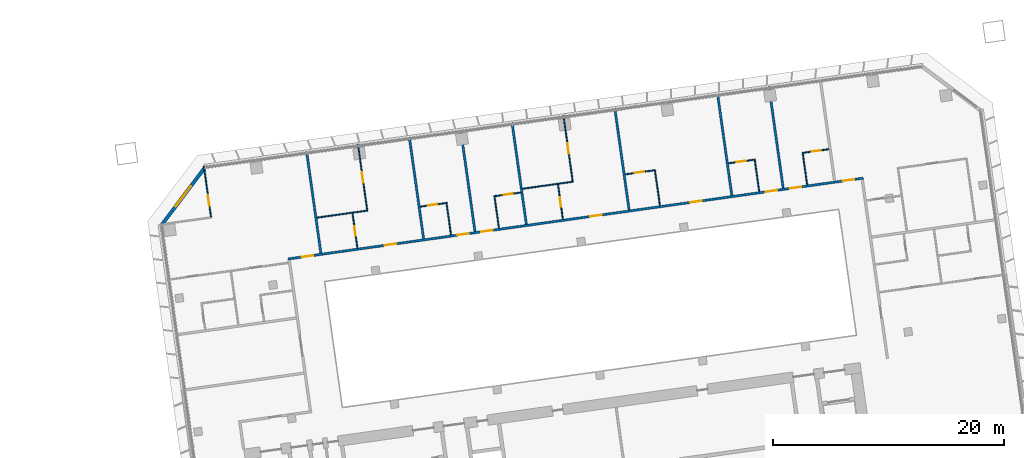
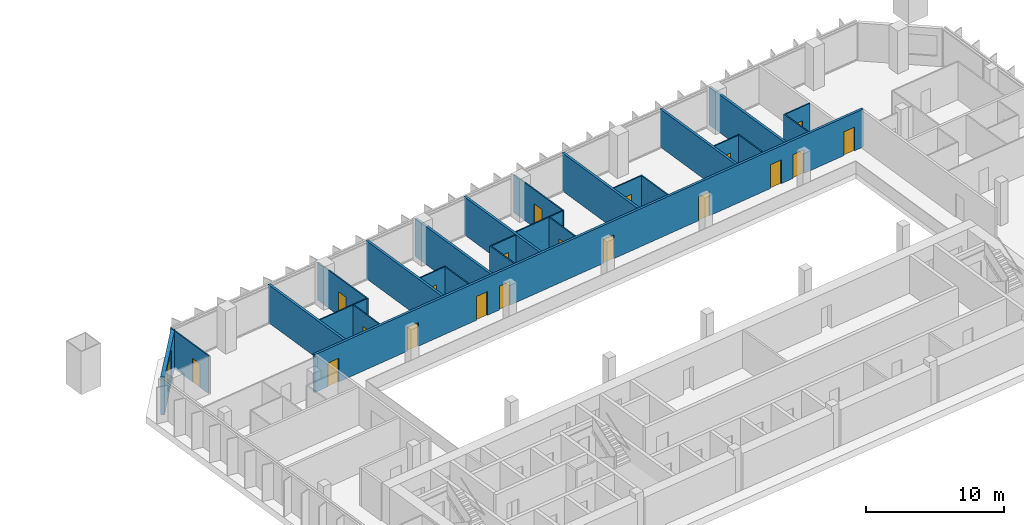
# One storey, part 20 of 24: 26 walls, 19 doors, 1 window, 20 openings.
"""IFC4 building model written with IfcOpenShell, lengths in metres."""

from ifc_helpers import new_model, si_unit, direction, frame, frame_2d, origin, place, context, subcontext, project, spatial, rectangle, extrude, material, layer, layer_set, type_object, element, fill, save


model = new_model("IFC4")

# Units and contexts
model_context = context("Model", 3, precision=1e-05, world=origin(), true_north=direction((0.0, 1.0)))
body_context = subcontext(model_context, "Body", "Model", "MODEL_VIEW")
ifc_project = project(units=[si_unit("LENGTHUNIT", "METRE"), si_unit("AREAUNIT", "SQUARE_METRE"), si_unit("VOLUMEUNIT", "CUBIC_METRE"), si_unit("PLANEANGLEUNIT", "RADIAN"), si_unit("MASSUNIT", "GRAM", prefix="KILO")], contexts=[model_context])

# Site, building, storey
site_placement = place(None, origin())
site = spatial("IfcSite", under=ifc_project, at=site_placement, CompositionType="ELEMENT")
building_placement = place(site_placement, origin())
building = spatial("IfcBuilding", under=site, at=building_placement, Name="Mirante Cascada Hotel Towers", CompositionType="ELEMENT")
storey_placement = place(building_placement, frame((0.0, 0.0, 85.1)))
storey = spatial("IfcBuildingStorey", under=building, at=storey_placement, Name="L18", CompositionType="ELEMENT", Elevation=85.1)

# Wall, openings, doors
ifc_material_1 = material(Name="Fire-rated plasterboard on metal studs")
ifc_layer_1 = layer(ifc_material_1, 0.2)
ifc_layer_set_1 = layer_set([ifc_layer_1], Name="Compartment wall 200 EI 120")
wall_type_1 = type_object("IfcWallType", Name="Compartment wall 200 EI 120", PredefinedType="PARTITIONING", material=ifc_layer_set_1)
wall_1_placement = place(storey_placement, frame((89.0146, 16.3922, 0.0), z_axis=(0.0, 0.0, 1.0), x_axis=(-0.9902681, -0.1391727, 0.0)))
wall_1 = element("IfcWall", 1, at=wall_1_placement, inside=storey, type_object=wall_type_1, Name="Wall 2-L18-14", PredefinedType="PARTITIONING", context=body_context, shape_type="SweptSolid", body=[
    extrude(rectangle(XDim=50.4, YDim=0.2, at=frame_2d((25.2, 0.0))), origin(), (0.0, 0.0, 1.0), 3.35),
])
opening_1_placement = place(wall_1_placement, frame((48.2, 0.0, 0.0)))
opening_1 = element("IfcOpeningElement", 2, at=opening_1_placement, cuts=wall_1, Name="Opening D2-L18-08", PredefinedType="OPENING", context=body_context, shape_type="SweptSolid", body=[
    extrude(rectangle(XDim=1.0, YDim=2.1, at=frame_2d((0.5, 1.05))), frame((0.0, 0.1, 0.0), z_axis=(0.0, -1.0, 0.0), x_axis=(1.0, 0.0, 0.0)), (0.0, 0.0, 1.0), 0.2),
])
opening_2_placement = place(wall_1_placement, frame((40.9, 0.0, 0.0)))
opening_2 = element("IfcOpeningElement", 3, at=opening_2_placement, cuts=wall_1, Name="Opening D2-L18-09", PredefinedType="OPENING", context=body_context, shape_type="SweptSolid", body=[
    extrude(rectangle(XDim=1.0, YDim=2.1, at=frame_2d((0.5, 1.05))), frame((0.0, 0.1, 0.0), z_axis=(0.0, -1.0, 0.0), x_axis=(1.0, 0.0, 0.0)), (0.0, 0.0, 1.0), 0.2),
])
opening_3_placement = place(wall_1_placement, frame((34.55, 0.0, 0.0)))
opening_3 = element("IfcOpeningElement", 4, at=opening_3_placement, cuts=wall_1, Name="Opening D2-L18-10", PredefinedType="OPENING", context=body_context, shape_type="SweptSolid", body=[
    extrude(rectangle(XDim=1.0, YDim=2.1, at=frame_2d((0.5, 1.05))), frame((0.0, 0.1, 0.0), z_axis=(0.0, -1.0, 0.0), x_axis=(1.0, 0.0, 0.0)), (0.0, 0.0, 1.0), 0.2),
])
opening_4_placement = place(wall_1_placement, frame((32.45, 0.0, 0.0)))
opening_4 = element("IfcOpeningElement", 5, at=opening_4_placement, cuts=wall_1, Name="Opening D2-L18-11", PredefinedType="OPENING", context=body_context, shape_type="SweptSolid", body=[
    extrude(rectangle(XDim=1.0, YDim=2.1, at=frame_2d((0.5, 1.05))), frame((0.0, 0.1, 0.0), z_axis=(0.0, -1.0, 0.0), x_axis=(1.0, 0.0, 0.0)), (0.0, 0.0, 1.0), 0.2),
])
opening_5_placement = place(wall_1_placement, frame((22.9, 0.0, 0.0)))
opening_5 = element("IfcOpeningElement", 6, at=opening_5_placement, cuts=wall_1, Name="Opening D2-L18-12", PredefinedType="OPENING", context=body_context, shape_type="SweptSolid", body=[
    extrude(rectangle(XDim=1.0, YDim=2.1, at=frame_2d((0.5, 1.05))), frame((0.0, 0.1, 0.0), z_axis=(0.0, -1.0, 0.0), x_axis=(1.0, 0.0, 0.0)), (0.0, 0.0, 1.0), 0.2),
])
opening_6_placement = place(wall_1_placement, frame((14.15, 0.0, 0.0)))
opening_6 = element("IfcOpeningElement", 7, at=opening_6_placement, cuts=wall_1, Name="Opening D2-L18-13", PredefinedType="OPENING", context=body_context, shape_type="SweptSolid", body=[
    extrude(rectangle(XDim=1.0, YDim=2.1, at=frame_2d((0.5, 1.05))), frame((0.0, 0.1, 0.0), z_axis=(0.0, -1.0, 0.0), x_axis=(1.0, 0.0, 0.0)), (0.0, 0.0, 1.0), 0.2),
])
opening_7_placement = place(wall_1_placement, frame((7.55, 0.0, 0.0)))
opening_7 = element("IfcOpeningElement", 8, at=opening_7_placement, cuts=wall_1, Name="Opening D2-L18-14", PredefinedType="OPENING", context=body_context, shape_type="SweptSolid", body=[
    extrude(rectangle(XDim=1.0, YDim=2.1, at=frame_2d((0.5, 1.05))), frame((0.0, 0.1, 0.0), z_axis=(0.0, -1.0, 0.0), x_axis=(1.0, 0.0, 0.0)), (0.0, 0.0, 1.0), 0.2),
])
opening_8_placement = place(wall_1_placement, frame((5.45, 0.0, 0.0)))
opening_8 = element("IfcOpeningElement", 9, at=opening_8_placement, cuts=wall_1, Name="Opening D2-L18-15", PredefinedType="OPENING", context=body_context, shape_type="SweptSolid", body=[
    extrude(rectangle(XDim=1.0, YDim=2.1, at=frame_2d((0.5, 1.05))), frame((0.0, 0.1, 0.0), z_axis=(0.0, -1.0, 0.0), x_axis=(1.0, 0.0, 0.0)), (0.0, 0.0, 1.0), 0.2),
])
opening_9_placement = place(wall_1_placement, frame((0.8, 0.0, 0.0)))
opening_9 = element("IfcOpeningElement", 10, at=opening_9_placement, cuts=wall_1, Name="Opening D2-L18-16", PredefinedType="OPENING", context=body_context, shape_type="SweptSolid", body=[
    extrude(rectangle(XDim=1.0, YDim=2.1, at=frame_2d((0.5, 1.05))), frame((0.0, 0.1, 0.0), z_axis=(0.0, -1.0, 0.0), x_axis=(1.0, 0.0, 0.0)), (0.0, 0.0, 1.0), 0.2),
])
ifc_material_2 = material(Name="Fire-rated timber door leaf", Category="wood")
door_type_1 = type_object("IfcDoorType", Name="Entrance door DG1 1000x2100 EI 60", OperationType="SINGLE_SWING_LEFT", PredefinedType="DOOR", material=ifc_material_2)
door_1_placement = place(opening_1_placement, frame((1.0, 0.0, 0.0), z_axis=(0.0, 0.0, 1.0), x_axis=(-1.0, 0.0, 0.0)))
door_1 = element("IfcDoor", 11, at=door_1_placement, inside=storey, type_object=door_type_1, Name="Door D2-L18-08", OperationType="SINGLE_SWING_RIGHT", OverallHeight=2.1, OverallWidth=1.0, PredefinedType="DOOR", context=body_context, shape_type="SweptSolid", body=[
    extrude(rectangle(XDim=1.0, YDim=2.1, at=frame_2d((0.5, 1.05))), frame((0.0, 0.025, 0.0), z_axis=(0.0, -1.0, 0.0), x_axis=(1.0, 0.0, 0.0)), (0.0, 0.0, 1.0), 0.05),
])
fill(opening_1, door_1)
door_2_placement = place(opening_2_placement, frame((1.0, 0.0, 0.0), z_axis=(0.0, 0.0, 1.0), x_axis=(-1.0, 0.0, 0.0)))
door_2 = element("IfcDoor", 12, at=door_2_placement, inside=storey, type_object=door_type_1, Name="Door D2-L18-09", OperationType="SINGLE_SWING_RIGHT", OverallHeight=2.1, OverallWidth=1.0, PredefinedType="DOOR", context=body_context, shape_type="SweptSolid", body=[
    extrude(rectangle(XDim=1.0, YDim=2.1, at=frame_2d((0.5, 1.05))), frame((0.0, 0.025, 0.0), z_axis=(0.0, -1.0, 0.0), x_axis=(1.0, 0.0, 0.0)), (0.0, 0.0, 1.0), 0.05),
])
fill(opening_2, door_2)
door_3_placement = place(opening_3_placement, frame((1.0, 0.0, 0.0), z_axis=(0.0, 0.0, 1.0), x_axis=(-1.0, 0.0, 0.0)))
door_3 = element("IfcDoor", 13, at=door_3_placement, inside=storey, type_object=door_type_1, Name="Door D2-L18-10", OperationType="SINGLE_SWING_RIGHT", OverallHeight=2.1, OverallWidth=1.0, PredefinedType="DOOR", context=body_context, shape_type="SweptSolid", body=[
    extrude(rectangle(XDim=1.0, YDim=2.1, at=frame_2d((0.5, 1.05))), frame((0.0, 0.025, 0.0), z_axis=(0.0, -1.0, 0.0), x_axis=(1.0, 0.0, 0.0)), (0.0, 0.0, 1.0), 0.05),
])
fill(opening_3, door_3)
door_4_placement = place(opening_4_placement, frame((1.0, 0.0, 0.0), z_axis=(0.0, 0.0, 1.0), x_axis=(-1.0, 0.0, 0.0)))
door_4 = element("IfcDoor", 14, at=door_4_placement, inside=storey, type_object=door_type_1, Name="Door D2-L18-11", OperationType="SINGLE_SWING_RIGHT", OverallHeight=2.1, OverallWidth=1.0, PredefinedType="DOOR", context=body_context, shape_type="SweptSolid", body=[
    extrude(rectangle(XDim=1.0, YDim=2.1, at=frame_2d((0.5, 1.05))), frame((0.0, 0.025, 0.0), z_axis=(0.0, -1.0, 0.0), x_axis=(1.0, 0.0, 0.0)), (0.0, 0.0, 1.0), 0.05),
])
fill(opening_4, door_4)
door_5_placement = place(opening_5_placement, frame((1.0, 0.0, 0.0), z_axis=(0.0, 0.0, 1.0), x_axis=(-1.0, 0.0, 0.0)))
door_5 = element("IfcDoor", 15, at=door_5_placement, inside=storey, type_object=door_type_1, Name="Door D2-L18-12", OperationType="SINGLE_SWING_RIGHT", OverallHeight=2.1, OverallWidth=1.0, PredefinedType="DOOR", context=body_context, shape_type="SweptSolid", body=[
    extrude(rectangle(XDim=1.0, YDim=2.1, at=frame_2d((0.5, 1.05))), frame((0.0, 0.025, 0.0), z_axis=(0.0, -1.0, 0.0), x_axis=(1.0, 0.0, 0.0)), (0.0, 0.0, 1.0), 0.05),
])
fill(opening_5, door_5)
door_6_placement = place(opening_6_placement, frame((1.0, 0.0, 0.0), z_axis=(0.0, 0.0, 1.0), x_axis=(-1.0, 0.0, 0.0)))
door_6 = element("IfcDoor", 16, at=door_6_placement, inside=storey, type_object=door_type_1, Name="Door D2-L18-13", OperationType="SINGLE_SWING_RIGHT", OverallHeight=2.1, OverallWidth=1.0, PredefinedType="DOOR", context=body_context, shape_type="SweptSolid", body=[
    extrude(rectangle(XDim=1.0, YDim=2.1, at=frame_2d((0.5, 1.05))), frame((0.0, 0.025, 0.0), z_axis=(0.0, -1.0, 0.0), x_axis=(1.0, 0.0, 0.0)), (0.0, 0.0, 1.0), 0.05),
])
fill(opening_6, door_6)
door_7_placement = place(opening_7_placement, frame((1.0, 0.0, 0.0), z_axis=(0.0, 0.0, 1.0), x_axis=(-1.0, 0.0, 0.0)))
door_7 = element("IfcDoor", 17, at=door_7_placement, inside=storey, type_object=door_type_1, Name="Door D2-L18-14", OperationType="SINGLE_SWING_RIGHT", OverallHeight=2.1, OverallWidth=1.0, PredefinedType="DOOR", context=body_context, shape_type="SweptSolid", body=[
    extrude(rectangle(XDim=1.0, YDim=2.1, at=frame_2d((0.5, 1.05))), frame((0.0, 0.025, 0.0), z_axis=(0.0, -1.0, 0.0), x_axis=(1.0, 0.0, 0.0)), (0.0, 0.0, 1.0), 0.05),
])
fill(opening_7, door_7)
door_8_placement = place(opening_8_placement, frame((1.0, 0.0, 0.0), z_axis=(0.0, 0.0, 1.0), x_axis=(-1.0, 0.0, 0.0)))
door_8 = element("IfcDoor", 18, at=door_8_placement, inside=storey, type_object=door_type_1, Name="Door D2-L18-15", OperationType="SINGLE_SWING_RIGHT", OverallHeight=2.1, OverallWidth=1.0, PredefinedType="DOOR", context=body_context, shape_type="SweptSolid", body=[
    extrude(rectangle(XDim=1.0, YDim=2.1, at=frame_2d((0.5, 1.05))), frame((0.0, 0.025, 0.0), z_axis=(0.0, -1.0, 0.0), x_axis=(1.0, 0.0, 0.0)), (0.0, 0.0, 1.0), 0.05),
])
fill(opening_8, door_8)
door_9_placement = place(opening_9_placement, frame((1.0, 0.0, 0.0), z_axis=(0.0, 0.0, 1.0), x_axis=(-1.0, 0.0, 0.0)))
door_9 = element("IfcDoor", 19, at=door_9_placement, inside=storey, type_object=door_type_1, Name="Door D2-L18-16", OperationType="SINGLE_SWING_RIGHT", OverallHeight=2.1, OverallWidth=1.0, PredefinedType="DOOR", context=body_context, shape_type="SweptSolid", body=[
    extrude(rectangle(XDim=1.0, YDim=2.1, at=frame_2d((0.5, 1.05))), frame((0.0, 0.025, 0.0), z_axis=(0.0, -1.0, 0.0), x_axis=(1.0, 0.0, 0.0)), (0.0, 0.0, 1.0), 0.05),
])
fill(opening_9, door_9)

# Walls
for number, where, z_axis, x_axis, name in (
    (20, (40.7243, 18.6939, 0.0), (0.0, 0.0, 1.0), (0.1391794, -0.9902672, 0.0), "Wall 2-L18-32"),
    (21, (50.8754, 11.1331, 0.0), (0.0, 0.0, 1.0), (-0.1391794, 0.9902672, 0.0), "Wall 2-L18-35"),
    (22, (55.3316, 11.7594, 0.0), (0.0, 0.0, 1.0), (-0.1391794, 0.9902672, 0.0), "Wall 2-L18-37"),
):
    element("IfcWall", number, at=place(storey_placement, frame(where, z_axis=z_axis, x_axis=x_axis)), inside=storey, type_object=wall_type_1, Name=name, PredefinedType="PARTITIONING", context=body_context, shape_type="SweptSolid", body=[
        extrude(rectangle(XDim=8.9, YDim=0.2, at=frame_2d((4.45, 0.0))), origin(), (0.0, 0.0, 1.0), 3.35),
    ])
wall_2_placement = place(storey_placement, frame((59.7878, 12.3857, 0.0), z_axis=(0.0, 0.0, 1.0), x_axis=(-0.13917, 0.9902685, 0.0)))
element("IfcWall", 23, at=wall_2_placement, inside=storey, type_object=wall_type_1, Name="Wall 2-L18-39", PredefinedType="PARTITIONING", context=body_context, shape_type="SweptSolid", body=[
    extrude(rectangle(XDim=8.8999, YDim=0.2, at=frame_2d((4.45, 0.0))), origin(), (0.0, 0.0, 1.0), 3.35),
])
for number, where, z_axis, x_axis, name in (
    (24, (67.4616, 22.4516, 0.0), (0.0, 0.0, 1.0), (0.1391684, -0.9902687, 0.0), "Wall 2-L18-42"),
    (25, (76.374, 23.7042, 0.0), (0.0, 0.0, 1.0), (0.1391684, -0.9902687, 0.0), "Wall 2-L18-44"),
):
    element("IfcWall", number, at=place(storey_placement, frame(where, z_axis=z_axis, x_axis=x_axis)), inside=storey, type_object=wall_type_1, Name=name, PredefinedType="PARTITIONING", context=body_context, shape_type="SweptSolid", body=[
        extrude(rectangle(XDim=8.9, YDim=0.2, at=frame_2d((4.45, 0.0))), origin(), (0.0, 0.0, 1.0), 3.35),
    ])
wall_3_placement = place(storey_placement, frame((80.8302, 24.3304, 0.0), z_axis=(0.0, 0.0, 1.0), x_axis=(0.13917, -0.9902685, 0.0)))
element("IfcWall", 26, at=wall_3_placement, inside=storey, type_object=wall_type_1, Name="Wall 2-L18-46", PredefinedType="PARTITIONING", context=body_context, shape_type="SweptSolid", body=[
    extrude(rectangle(XDim=8.8999, YDim=0.2, at=frame_2d((4.45, 0.0))), origin(), (0.0, 0.0, 1.0), 3.35),
])

# Wall, opening, door
ifc_material_3 = material(Name="Plasterboard on metal studs")
ifc_layer_2 = layer(ifc_material_3, 0.1)
ifc_layer_set_2 = layer_set([ifc_layer_2], Name="Partition 100")
wall_type_2 = type_object("IfcWallType", Name="Partition 100", PredefinedType="PARTITIONING", material=ifc_layer_set_2)
wall_4_placement = place(storey_placement, frame((52.8128, 14.2329, 0.0), z_axis=(0.0, 0.0, 1.0), x_axis=(-0.9902705, -0.1391561, 0.0)))
wall_4 = element("IfcWall", 27, at=wall_4_placement, inside=storey, type_object=wall_type_2, Name="Wall 2-L18-16", PredefinedType="PARTITIONING", context=body_context, shape_type="SweptSolid", body=[
    extrude(rectangle(XDim=2.25, YDim=0.1, at=frame_2d((1.125, 0.0))), origin(), (0.0, 0.0, 1.0), 3.35),
])
opening_10_placement = place(wall_4_placement, frame((0.75, 0.0, 0.0)))
opening_10 = element("IfcOpeningElement", 28, at=opening_10_placement, cuts=wall_4, Name="Opening D2-L18-18", PredefinedType="OPENING", context=body_context, shape_type="SweptSolid", body=[
    extrude(rectangle(XDim=0.8, YDim=2.1, at=frame_2d((0.4, 1.05))), frame((0.0, 0.05, 0.0), z_axis=(0.0, -1.0, 0.0), x_axis=(1.0, 0.0, 0.0)), (0.0, 0.0, 1.0), 0.1),
])
ifc_material_4 = material(Name="Timber door leaf", Category="wood")
door_type_2 = type_object("IfcDoorType", Name="Bathroom door DG4 800x2100", OperationType="SINGLE_SWING_LEFT", PredefinedType="DOOR", material=ifc_material_4)
door_10_placement = place(opening_10_placement, frame((0.8, 0.0, 0.0), z_axis=(0.0, 0.0, 1.0), x_axis=(-1.0, 0.0, 0.0)))
door_10 = element("IfcDoor", 29, at=door_10_placement, inside=storey, type_object=door_type_2, Name="Door D2-L18-18", OperationType="SINGLE_SWING_RIGHT", OverallHeight=2.1, OverallWidth=0.8, PredefinedType="DOOR", context=body_context, shape_type="SweptSolid", body=[
    extrude(rectangle(XDim=0.8, YDim=2.1, at=frame_2d((0.4, 1.05))), frame((0.0, 0.025, 0.0), z_axis=(0.0, -1.0, 0.0), x_axis=(1.0, 0.0, 0.0)), (0.0, 0.0, 1.0), 0.05),
])
fill(opening_10, door_10)

wall_5_placement = place(storey_placement, frame((57.071, 14.8314, 0.0), z_axis=(0.0, 0.0, 1.0), x_axis=(0.9902705, 0.1391561, 0.0)))
wall_5 = element("IfcWall", 30, at=wall_5_placement, inside=storey, type_object=wall_type_2, Name="Wall 2-L18-17", PredefinedType="PARTITIONING", context=body_context, shape_type="SweptSolid", body=[
    extrude(rectangle(XDim=2.25, YDim=0.1, at=frame_2d((1.125, 0.0))), origin(), (0.0, 0.0, 1.0), 3.35),
])
opening_11_placement = place(wall_5_placement, frame((0.75, 0.0, 0.0)))
opening_11 = element("IfcOpeningElement", 31, at=opening_11_placement, cuts=wall_5, Name="Opening D2-L18-19", PredefinedType="OPENING", context=body_context, shape_type="SweptSolid", body=[
    extrude(rectangle(XDim=0.8, YDim=2.1, at=frame_2d((0.4, 1.05))), frame((0.0, 0.05, 0.0), z_axis=(0.0, -1.0, 0.0), x_axis=(1.0, 0.0, 0.0)), (0.0, 0.0, 1.0), 0.1),
])
door_11_placement = place(opening_11_placement, origin())
door_11 = element("IfcDoor", 32, at=door_11_placement, inside=storey, type_object=door_type_2, Name="Door D2-L18-19", OperationType="SINGLE_SWING_LEFT", OverallHeight=2.1, OverallWidth=0.8, PredefinedType="DOOR", context=body_context, shape_type="SweptSolid", body=[
    extrude(rectangle(XDim=0.8, YDim=2.1, at=frame_2d((0.4, 1.05))), frame((0.0, 0.025, 0.0), z_axis=(0.0, -1.0, 0.0), x_axis=(1.0, 0.0, 0.0)), (0.0, 0.0, 1.0), 0.05),
])
fill(opening_11, door_11)

wall_6_placement = place(storey_placement, frame((79.5501, 17.9906, 0.0), z_axis=(0.0, 0.0, 1.0), x_axis=(-0.9902643, -0.1391997, 0.0)))
wall_6 = element("IfcWall", 33, at=wall_6_placement, inside=storey, type_object=wall_type_2, Name="Wall 2-L18-18", PredefinedType="PARTITIONING", context=body_context, shape_type="SweptSolid", body=[
    extrude(rectangle(XDim=2.25, YDim=0.1, at=frame_2d((1.125, 0.0))), origin(), (0.0, 0.0, 1.0), 3.35),
])
opening_12_placement = place(wall_6_placement, frame((0.75, 0.0, 0.0)))
opening_12 = element("IfcOpeningElement", 34, at=opening_12_placement, cuts=wall_6, Name="Opening D2-L18-20", PredefinedType="OPENING", context=body_context, shape_type="SweptSolid", body=[
    extrude(rectangle(XDim=0.8, YDim=2.1, at=frame_2d((0.4, 1.05))), frame((0.0, 0.05, 0.0), z_axis=(0.0, -1.0, 0.0), x_axis=(1.0, 0.0, 0.0)), (0.0, 0.0, 1.0), 0.1),
])
door_12_placement = place(opening_12_placement, frame((0.8, 0.0, 0.0), z_axis=(0.0, 0.0, 1.0), x_axis=(-1.0, 0.0, 0.0)))
door_12 = element("IfcDoor", 35, at=door_12_placement, inside=storey, type_object=door_type_2, Name="Door D2-L18-20", OperationType="SINGLE_SWING_RIGHT", OverallHeight=2.1, OverallWidth=0.8, PredefinedType="DOOR", context=body_context, shape_type="SweptSolid", body=[
    extrude(rectangle(XDim=0.8, YDim=2.1, at=frame_2d((0.4, 1.05))), frame((0.0, 0.025, 0.0), z_axis=(0.0, -1.0, 0.0), x_axis=(1.0, 0.0, 0.0)), (0.0, 0.0, 1.0), 0.05),
])
fill(opening_12, door_12)

wall_7_placement = place(storey_placement, frame((83.8082, 18.589, 0.0), z_axis=(0.0, 0.0, 1.0), x_axis=(0.9902643, 0.1391997, 0.0)))
wall_7 = element("IfcWall", 36, at=wall_7_placement, inside=storey, type_object=wall_type_2, Name="Wall 2-L18-19", PredefinedType="PARTITIONING", context=body_context, shape_type="SweptSolid", body=[
    extrude(rectangle(XDim=2.25, YDim=0.1, at=frame_2d((1.125, 0.0))), origin(), (0.0, 0.0, 1.0), 3.35),
])
opening_13_placement = place(wall_7_placement, frame((0.75, 0.0, 0.0)))
opening_13 = element("IfcOpeningElement", 37, at=opening_13_placement, cuts=wall_7, Name="Opening D2-L18-21", PredefinedType="OPENING", context=body_context, shape_type="SweptSolid", body=[
    extrude(rectangle(XDim=0.8, YDim=2.1, at=frame_2d((0.4, 1.05))), frame((0.0, 0.05, 0.0), z_axis=(0.0, -1.0, 0.0), x_axis=(1.0, 0.0, 0.0)), (0.0, 0.0, 1.0), 0.1),
])
door_13_placement = place(opening_13_placement, origin())
door_13 = element("IfcDoor", 38, at=door_13_placement, inside=storey, type_object=door_type_2, Name="Door D2-L18-21", OperationType="SINGLE_SWING_LEFT", OverallHeight=2.1, OverallWidth=0.8, PredefinedType="DOOR", context=body_context, shape_type="SweptSolid", body=[
    extrude(rectangle(XDim=0.8, YDim=2.1, at=frame_2d((0.4, 1.05))), frame((0.0, 0.025, 0.0), z_axis=(0.0, -1.0, 0.0), x_axis=(1.0, 0.0, 0.0)), (0.0, 0.0, 1.0), 0.05),
])
fill(opening_13, door_13)

# Walls
wall_8_placement = place(storey_placement, frame((45.9382, 13.5697, 0.0), z_axis=(0.0, 0.0, 1.0), x_axis=(-0.9902679, -0.1391745, 0.0)))
element("IfcWall", 39, at=wall_8_placement, inside=storey, type_object=wall_type_2, Name="Wall 2-L18-20", PredefinedType="PARTITIONING", context=body_context, shape_type="SweptSolid", body=[
    extrude(rectangle(XDim=4.3499, YDim=0.1, at=frame_2d((2.175, 0.0))), origin(), (0.0, 0.0, 1.0), 3.35),
])
wall_9_placement = place(storey_placement, frame((59.4554, 15.4694, 0.0), z_axis=(0.0, 0.0, 1.0), x_axis=(0.9902683, 0.1391714, 0.0)))
element("IfcWall", 40, at=wall_9_placement, inside=storey, type_object=wall_type_2, Name="Wall 2-L18-21", PredefinedType="PARTITIONING", context=body_context, shape_type="SweptSolid", body=[
    extrude(rectangle(XDim=4.35, YDim=0.1, at=frame_2d((2.175, 0.0))), origin(), (0.0, 0.0, 1.0), 3.35),
])

# Wall, opening, door
wall_10_placement = place(storey_placement, frame((70.893, 17.0769, 0.0), z_axis=(0.0, 0.0, 1.0), x_axis=(-0.9902677, -0.1391755, 0.0)))
wall_10 = element("IfcWall", 41, at=wall_10_placement, inside=storey, type_object=wall_type_2, Name="Wall 2-L18-22", PredefinedType="PARTITIONING", context=body_context, shape_type="SweptSolid", body=[
    extrude(rectangle(XDim=2.55, YDim=0.1, at=frame_2d((1.275, 0.0))), origin(), (0.0, 0.0, 1.0), 3.35),
])
opening_14_placement = place(wall_10_placement, frame((0.9, 0.0, 0.0)))
opening_14 = element("IfcOpeningElement", 42, at=opening_14_placement, cuts=wall_10, Name="Opening D2-L18-22", PredefinedType="OPENING", context=body_context, shape_type="SweptSolid", body=[
    extrude(rectangle(XDim=0.8, YDim=2.1, at=frame_2d((0.4, 1.05))), frame((0.0, 0.05, 0.0), z_axis=(0.0, -1.0, 0.0), x_axis=(1.0, 0.0, 0.0)), (0.0, 0.0, 1.0), 0.1),
])
door_14_placement = place(opening_14_placement, frame((0.8, 0.0, 0.0), z_axis=(0.0, 0.0, 1.0), x_axis=(-1.0, 0.0, 0.0)))
door_14 = element("IfcDoor", 43, at=door_14_placement, inside=storey, type_object=door_type_2, Name="Door D2-L18-22", OperationType="SINGLE_SWING_RIGHT", OverallHeight=2.1, OverallWidth=0.8, PredefinedType="DOOR", context=body_context, shape_type="SweptSolid", body=[
    extrude(rectangle(XDim=0.8, YDim=2.1, at=frame_2d((0.4, 1.05))), frame((0.0, 0.025, 0.0), z_axis=(0.0, -1.0, 0.0), x_axis=(1.0, 0.0, 0.0)), (0.0, 0.0, 1.0), 0.05),
])
fill(opening_14, door_14)

wall_11_placement = place(storey_placement, frame((31.8119, 17.4414, 0.0), z_axis=(0.0, 0.0, 1.0), x_axis=(0.1391684, -0.9902687, 0.0)))
wall_11 = element("IfcWall", 44, at=wall_11_placement, inside=storey, type_object=wall_type_2, Name="Wall 2-L18-28", PredefinedType="PARTITIONING", context=body_context, shape_type="SweptSolid", body=[
    extrude(rectangle(XDim=4.45, YDim=0.1, at=frame_2d((2.225, 0.0))), origin(), (0.0, 0.0, 1.0), 3.35),
])
opening_15_placement = place(wall_11_placement, frame((2.5833, 0.0, 0.0)))
opening_15 = element("IfcOpeningElement", 45, at=opening_15_placement, cuts=wall_11, Name="Opening D2-L18-24", PredefinedType="OPENING", context=body_context, shape_type="SweptSolid", body=[
    extrude(rectangle(XDim=0.9, YDim=2.1, at=frame_2d((0.45, 1.05))), frame((0.0, 0.05, 0.0), z_axis=(0.0, -1.0, 0.0), x_axis=(1.0, 0.0, 0.0)), (0.0, 0.0, 1.0), 0.1),
])
ifc_material_5 = material(Name="Timber door leaf", Category="wood")
door_type_3 = type_object("IfcDoorType", Name="Room door DG3 900x2100", OperationType="SINGLE_SWING_LEFT", PredefinedType="DOOR", material=ifc_material_5)
door_15_placement = place(opening_15_placement, origin())
door_15 = element("IfcDoor", 46, at=door_15_placement, inside=storey, type_object=door_type_3, Name="Door D2-L18-24", OperationType="SINGLE_SWING_LEFT", OverallHeight=2.1, OverallWidth=0.9, PredefinedType="DOOR", context=body_context, shape_type="SweptSolid", body=[
    extrude(rectangle(XDim=0.9, YDim=2.1, at=frame_2d((0.45, 1.05))), frame((0.0, 0.025, 0.0), z_axis=(0.0, -1.0, 0.0), x_axis=(1.0, 0.0, 0.0)), (0.0, 0.0, 1.0), 0.05),
])
fill(opening_15, door_15)

wall_12_placement = place(storey_placement, frame((45.1318, 10.3259, 0.0), z_axis=(0.0, 0.0, 1.0), x_axis=(-0.1391488, 0.9902715, 0.0)))
wall_12 = element("IfcWall", 47, at=wall_12_placement, inside=storey, type_object=wall_type_2, Name="Wall 2-L18-33", PredefinedType="PARTITIONING", context=body_context, shape_type="SweptSolid", body=[
    extrude(rectangle(XDim=3.05, YDim=0.1, at=frame_2d((1.525, 0.0))), origin(), (0.0, 0.0, 1.0), 3.35),
])
opening_16_placement = place(wall_12_placement, frame((1.1, 0.0, 0.0)))
opening_16 = element("IfcOpeningElement", 48, at=opening_16_placement, cuts=wall_12, Name="Opening D2-L18-27", PredefinedType="OPENING", context=body_context, shape_type="SweptSolid", body=[
    extrude(rectangle(XDim=0.8, YDim=2.1, at=frame_2d((0.4, 1.05))), frame((0.0, 0.05, 0.0), z_axis=(0.0, -1.0, 0.0), x_axis=(1.0, 0.0, 0.0)), (0.0, 0.0, 1.0), 0.1),
])
door_16_placement = place(opening_16_placement, frame((0.8, 0.0, 0.0), z_axis=(0.0, 0.0, 1.0), x_axis=(-1.0, 0.0, 0.0)))
door_16 = element("IfcDoor", 49, at=door_16_placement, inside=storey, type_object=door_type_2, Name="Door D2-L18-27", OperationType="SINGLE_SWING_RIGHT", OverallHeight=2.1, OverallWidth=0.8, PredefinedType="DOOR", context=body_context, shape_type="SweptSolid", body=[
    extrude(rectangle(XDim=0.8, YDim=2.1, at=frame_2d((0.4, 1.05))), frame((0.0, 0.025, 0.0), z_axis=(0.0, -1.0, 0.0), x_axis=(1.0, 0.0, 0.0)), (0.0, 0.0, 1.0), 0.05),
])
fill(opening_16, door_16)

wall_13_placement = place(storey_placement, frame((45.1805, 19.3202, 0.0), z_axis=(0.0, 0.0, 1.0), x_axis=(0.1391786, -0.9902673, 0.0)))
wall_13 = element("IfcWall", 50, at=wall_13_placement, inside=storey, type_object=wall_type_2, Name="Wall 2-L18-34", PredefinedType="PARTITIONING", context=body_context, shape_type="SweptSolid", body=[
    extrude(rectangle(XDim=5.85, YDim=0.1, at=frame_2d((2.925, 0.0))), origin(), (0.0, 0.0, 1.0), 3.35),
])
opening_17_placement = place(wall_13_placement, frame((2.45, 0.0, 0.0)))
opening_17 = element("IfcOpeningElement", 51, at=opening_17_placement, cuts=wall_13, Name="Opening D2-L18-28", PredefinedType="OPENING", context=body_context, shape_type="SweptSolid", body=[
    extrude(rectangle(XDim=0.9, YDim=2.1, at=frame_2d((0.45, 1.05))), frame((0.0, 0.05, 0.0), z_axis=(0.0, -1.0, 0.0), x_axis=(1.0, 0.0, 0.0)), (0.0, 0.0, 1.0), 0.1),
])
door_17_placement = place(opening_17_placement, origin())
door_17 = element("IfcDoor", 52, at=door_17_placement, inside=storey, type_object=door_type_3, Name="Door D2-L18-28", OperationType="SINGLE_SWING_LEFT", OverallHeight=2.1, OverallWidth=0.9, PredefinedType="DOOR", context=body_context, shape_type="SweptSolid", body=[
    extrude(rectangle(XDim=0.9, YDim=2.1, at=frame_2d((0.45, 1.05))), frame((0.0, 0.025, 0.0), z_axis=(0.0, -1.0, 0.0), x_axis=(1.0, 0.0, 0.0)), (0.0, 0.0, 1.0), 0.05),
])
fill(opening_17, door_17)

# Walls
for number, where, z_axis, x_axis, name in (
    (53, (52.8554, 14.2894, 0.0), (0.0, 0.0, 1.0), (0.1391564, -0.9902704, 0.0), "Wall 2-L18-36"),
    (54, (57.0145, 14.8739, 0.0), (0.0, 0.0, 1.0), (0.1391909, -0.9902656, 0.0), "Wall 2-L18-38"),
):
    element("IfcWall", number, at=place(storey_placement, frame(where, z_axis=z_axis, x_axis=x_axis)), inside=storey, type_object=wall_type_2, Name=name, PredefinedType="PARTITIONING", context=body_context, shape_type="SweptSolid", body=[
        extrude(rectangle(XDim=2.85, YDim=0.1, at=frame_2d((1.425, 0.0))), origin(), (0.0, 0.0, 1.0), 3.35),
    ])

# Wall, opening, door
wall_14_placement = place(storey_placement, frame((62.5322, 15.8513, 0.0), z_axis=(0.0, 0.0, 1.0), x_axis=(0.139181, -0.990267, 0.0)))
wall_14 = element("IfcWall", 55, at=wall_14_placement, inside=storey, type_object=wall_type_2, Name="Wall 2-L18-40", PredefinedType="PARTITIONING", context=body_context, shape_type="SweptSolid", body=[
    extrude(rectangle(XDim=3.05, YDim=0.1, at=frame_2d((1.525, 0.0))), origin(), (0.0, 0.0, 1.0), 3.35),
])
opening_18_placement = place(wall_14_placement, frame((1.15, 0.0, 0.0)))
opening_18 = element("IfcOpeningElement", 56, at=opening_18_placement, cuts=wall_14, Name="Opening D2-L18-29", PredefinedType="OPENING", context=body_context, shape_type="SweptSolid", body=[
    extrude(rectangle(XDim=0.8, YDim=2.1, at=frame_2d((0.4, 1.05))), frame((0.0, 0.05, 0.0), z_axis=(0.0, -1.0, 0.0), x_axis=(1.0, 0.0, 0.0)), (0.0, 0.0, 1.0), 0.1),
])
door_18_placement = place(opening_18_placement, origin())
door_18 = element("IfcDoor", 57, at=door_18_placement, inside=storey, type_object=door_type_2, Name="Door D2-L18-29", OperationType="SINGLE_SWING_LEFT", OverallHeight=2.1, OverallWidth=0.8, PredefinedType="DOOR", context=body_context, shape_type="SweptSolid", body=[
    extrude(rectangle(XDim=0.8, YDim=2.1, at=frame_2d((0.4, 1.05))), frame((0.0, 0.025, 0.0), z_axis=(0.0, -1.0, 0.0), x_axis=(1.0, 0.0, 0.0)), (0.0, 0.0, 1.0), 0.05),
])
fill(opening_18, door_18)

wall_15_placement = place(storey_placement, frame((63.8195, 16.0323, 0.0), z_axis=(0.0, 0.0, 1.0), x_axis=(-0.1391642, 0.9902693, 0.0)))
wall_15 = element("IfcWall", 58, at=wall_15_placement, inside=storey, type_object=wall_type_2, Name="Wall 2-L18-41", PredefinedType="PARTITIONING", context=body_context, shape_type="SweptSolid", body=[
    extrude(rectangle(XDim=5.8499, YDim=0.1, at=frame_2d((2.925, 0.0))), origin(), (0.0, 0.0, 1.0), 3.35),
])
opening_19_placement = place(wall_15_placement, frame((2.5, 0.0, 0.0)))
opening_19 = element("IfcOpeningElement", 59, at=opening_19_placement, cuts=wall_15, Name="Opening D2-L18-30", PredefinedType="OPENING", context=body_context, shape_type="SweptSolid", body=[
    extrude(rectangle(XDim=0.9, YDim=2.1, at=frame_2d((0.45, 1.05))), frame((0.0, 0.05, 0.0), z_axis=(0.0, -1.0, 0.0), x_axis=(1.0, 0.0, 0.0)), (0.0, 0.0, 1.0), 0.1),
])
door_19_placement = place(opening_19_placement, frame((0.9, 0.0, 0.0), z_axis=(0.0, 0.0, 1.0), x_axis=(-1.0, 0.0, 0.0)))
door_19 = element("IfcDoor", 60, at=door_19_placement, inside=storey, type_object=door_type_3, Name="Door D2-L18-30", OperationType="SINGLE_SWING_RIGHT", OverallHeight=2.1, OverallWidth=0.9, PredefinedType="DOOR", context=body_context, shape_type="SweptSolid", body=[
    extrude(rectangle(XDim=0.9, YDim=2.1, at=frame_2d((0.45, 1.05))), frame((0.0, 0.025, 0.0), z_axis=(0.0, -1.0, 0.0), x_axis=(1.0, 0.0, 0.0)), (0.0, 0.0, 1.0), 0.05),
])
fill(opening_19, door_19)

# Walls
wall_16_placement = place(storey_placement, frame((71.3739, 14.014, 0.0), z_axis=(0.0, 0.0, 1.0), x_axis=(-0.1391765, 0.9902676, 0.0)))
element("IfcWall", 61, at=wall_16_placement, inside=storey, type_object=wall_type_2, Name="Wall 2-L18-43", PredefinedType="PARTITIONING", context=body_context, shape_type="SweptSolid", body=[
    extrude(rectangle(XDim=3.15, YDim=0.1, at=frame_2d((1.575, 0.0))), origin(), (0.0, 0.0, 1.0), 3.35),
])
for number, where, z_axis, x_axis, name in (
    (62, (79.9893, 15.2248, 0.0), (0.0, 0.0, 1.0), (-0.1391909, 0.9902656, 0.0), "Wall 2-L18-45"),
    (63, (84.1484, 15.8093, 0.0), (0.0, 0.0, 1.0), (-0.1391909, 0.9902656, 0.0), "Wall 2-L18-47"),
):
    element("IfcWall", number, at=place(storey_placement, frame(where, z_axis=z_axis, x_axis=x_axis)), inside=storey, type_object=wall_type_2, Name=name, PredefinedType="PARTITIONING", context=body_context, shape_type="SweptSolid", body=[
        extrude(rectangle(XDim=2.85, YDim=0.1, at=frame_2d((1.425, 0.0))), origin(), (0.0, 0.0, 1.0), 3.35),
    ])

# Wall, opening, window
ifc_material_6 = material(Name="Precast concrete C40/50", Category="concrete")
ifc_layer_3 = layer(ifc_material_6, 0.3)
ifc_layer_set_3 = layer_set([ifc_layer_3], Name="Precast concrete C40/50 cladding wall 300")
wall_type_3 = type_object("IfcWallType", Name="Precast concrete C40/50 cladding wall 300", PredefinedType="STANDARD", material=ifc_layer_set_3)
wall_17_placement = place(storey_placement, frame((31.857, 17.252, 0.0), z_axis=(0.0, 0.0, 1.0), x_axis=(-0.6018141, -0.7986362, 0.0)))
wall_17 = element("IfcWall", 64, at=wall_17_placement, inside=storey, type_object=wall_type_3, Name="Corner cladding wall T2 L18 front inner", PredefinedType="STANDARD", context=body_context, shape_type="SweptSolid", body=[
    extrude(rectangle(XDim=6.1157, YDim=0.3, at=frame_2d((3.0578, 0.0))), origin(), (0.0, 0.0, 1.0), 3.35),
])
opening_20_placement = place(wall_17_placement, frame((1.9578, 0.0, 0.6)))
opening_20 = element("IfcOpeningElement", 65, at=opening_20_placement, cuts=wall_17, Name="Opening W2-18-04", PredefinedType="OPENING", context=body_context, shape_type="SweptSolid", body=[
    extrude(rectangle(XDim=2.2, YDim=2.4, at=frame_2d((1.1, 1.2))), frame((0.0, 0.15, 0.0), z_axis=(0.0, -1.0, 0.0), x_axis=(1.0, 0.0, 0.0)), (0.0, 0.0, 1.0), 0.3),
])
ifc_material_7 = material(Name="Aluminium frame with clear double glazing", Category="aluminium")
window_type = type_object("IfcWindowType", Name="Corner suite window 2200x2400", PartitioningType="DOUBLE_PANEL_VERTICAL", PredefinedType="WINDOW", material=ifc_material_7)
window_placement = place(opening_20_placement, origin())
window = element("IfcWindow", 66, at=window_placement, inside=storey, type_object=window_type, Name="Window W2-18-04", OverallHeight=2.4, OverallWidth=2.2, PartitioningType="SINGLE_PANEL", PredefinedType="WINDOW", context=body_context, shape_type="SweptSolid", body=[
    extrude(rectangle(XDim=2.2, YDim=2.4, at=frame_2d((1.1, 1.2))), frame((0.0, 0.03, 0.0), z_axis=(0.0, -1.0, 0.0), x_axis=(1.0, 0.0, 0.0)), (0.0, 0.0, 1.0), 0.06),
])
fill(opening_20, window)

save(model, "model.ifc")
